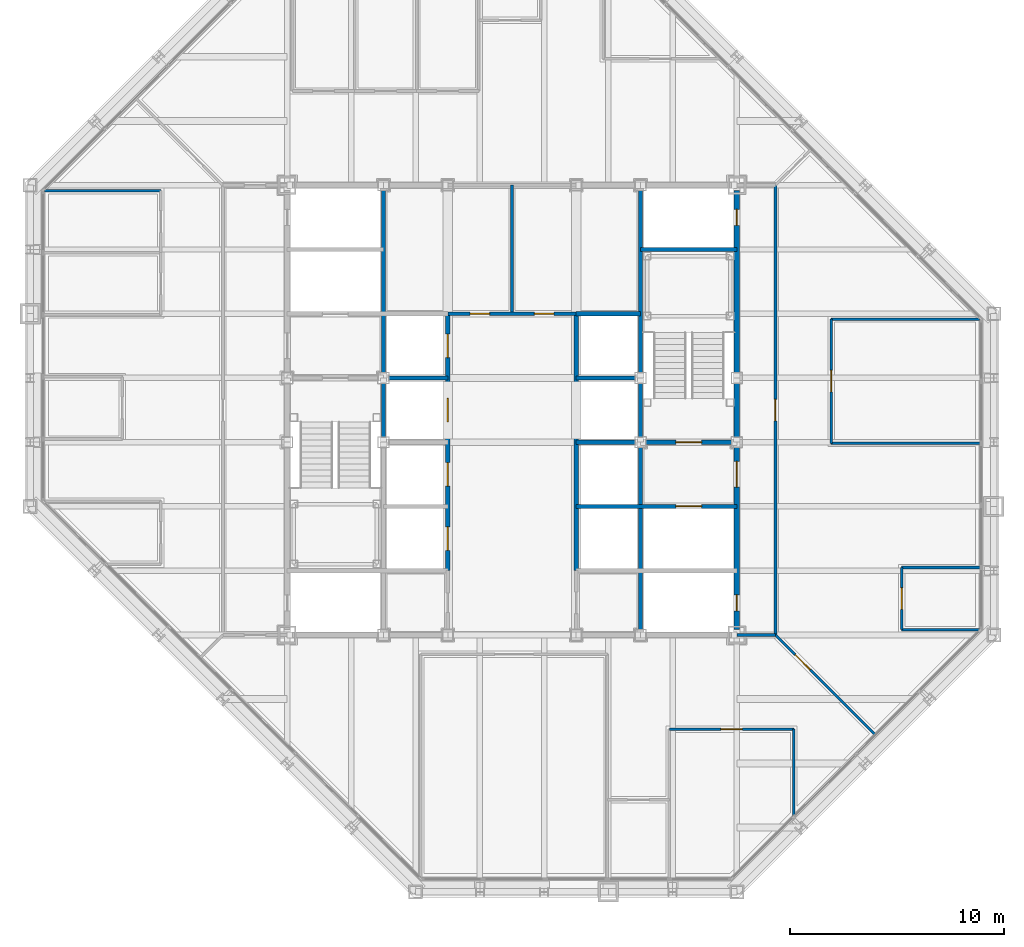
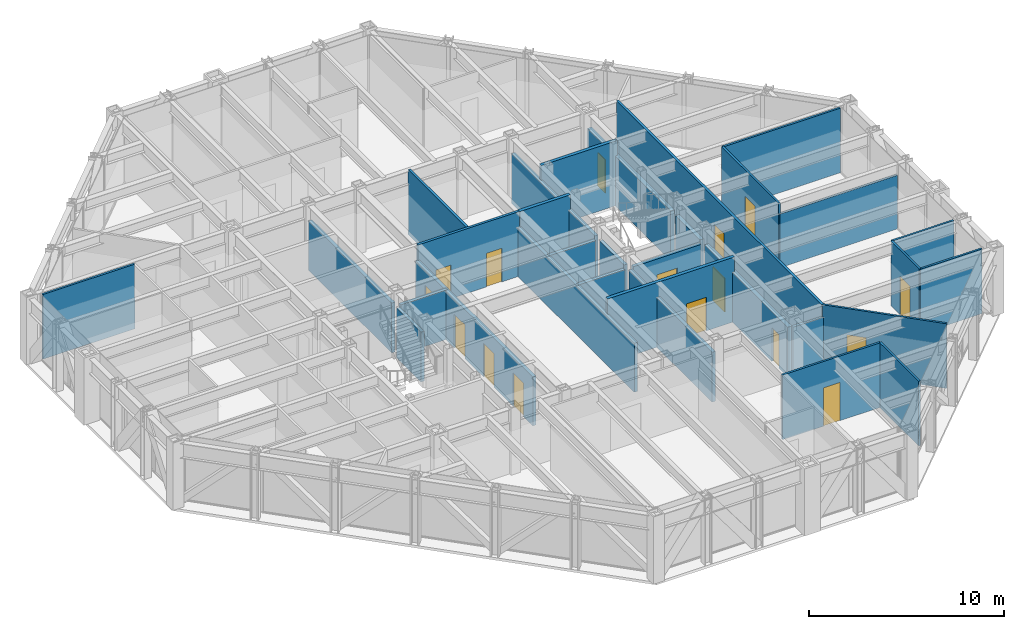
# One storey, part 12 of 16: 31 walls, 16 doors, 16 openings.
"""IFC4 building model written with IfcOpenShell, lengths in metres."""

from ifc_helpers import new_model, si_unit, direction, frame, frame_2d, origin, place, context, subcontext, project, spatial, rectangle, extrude, material, layer, layer_set, type_object, element, fill, save


model = new_model("IFC4")

# Units and contexts
model_context = context("Model", 3, precision=1e-05, world=origin(), true_north=direction((0.0, 1.0)))
body_context = subcontext(model_context, "Body", "Model", "MODEL_VIEW")
ifc_project = project(units=[si_unit("LENGTHUNIT", "METRE"), si_unit("AREAUNIT", "SQUARE_METRE"), si_unit("VOLUMEUNIT", "CUBIC_METRE"), si_unit("PLANEANGLEUNIT", "RADIAN"), si_unit("MASSUNIT", "GRAM", prefix="KILO")], contexts=[model_context])

# Site, building, storey
site_placement = place(None, origin())
site = spatial("IfcSite", under=ifc_project, at=site_placement, CompositionType="ELEMENT")
building_placement = place(site_placement, origin())
building = spatial("IfcBuilding", under=site, at=building_placement, Name="Chuquiago Exchange Tower", CompositionType="ELEMENT")
storey_placement = place(building_placement, frame((0.0, 0.0, 230.699951171875)))
storey = spatial("IfcBuildingStorey", under=building, at=storey_placement, Name="L51", CompositionType="ELEMENT", Elevation=230.699951171875)

# Wall, openings, doors
ifc_material_1 = material(Name="Concrete masonry, fully grouted", Category="masonry")
ifc_layer_1 = layer(ifc_material_1, 0.25)
ifc_layer_set_1 = layer_set([ifc_layer_1], Name="W1 core wall 250")
wall_type_1 = type_object("IfcWallType", Name="W1 core wall 250", PredefinedType="SOLIDWALL", material=ifc_layer_set_1)
wall_1_placement = place(storey_placement, frame((33.0, 12.25, 0.0), z_axis=(0.0, 0.0, 1.0), x_axis=(0.0, 1.0, 0.0)))
wall_1 = element("IfcWall", 1, at=wall_1_placement, inside=storey, type_object=wall_type_1, Name="CW-L51-25-0", PredefinedType="SOLIDWALL", context=body_context, shape_type="SweptSolid", body=[
    extrude(rectangle(XDim=8.5, YDim=0.25, at=frame_2d((4.25, 0.0))), origin(), (0.0, 0.0, 1.0), 3.113037109375),
])
opening_1_placement = place(wall_1_placement, frame((6.64990234375, 0.0, 0.0)))
opening_1 = element("IfcOpeningElement", 2, at=opening_1_placement, cuts=wall_1, Name="Opening L51-004", PredefinedType="OPENING", context=body_context, shape_type="SweptSolid", body=[
    extrude(rectangle(XDim=1.199951171875, YDim=2.10009765625, at=frame_2d((0.60009765625, 1.050048828125))), frame((0.0, 0.135009765625, 0.0), z_axis=(0.0, -1.0, 0.0), x_axis=(1.0, 0.0, 0.0)), (0.0, 0.0, 1.0), 0.27001953125),
])
opening_2_placement = place(wall_1_placement, frame((0.875, 0.0, 0.0)))
opening_2 = element("IfcOpeningElement", 3, at=opening_2_placement, cuts=wall_1, Name="Opening L51-009", PredefinedType="OPENING", context=body_context, shape_type="SweptSolid", body=[
    extrude(rectangle(XDim=0.75, YDim=2.10009765625, at=frame_2d((0.375, 1.050048828125))), frame((0.0, 0.135009765625, 0.0), z_axis=(0.0, -1.0, 0.0), x_axis=(1.0, 0.0, 0.0)), (0.0, 0.0, 1.0), 0.27001953125),
])
ifc_material_2 = material(Name="Steel door, painted", Category="steel")
door_type_1 = type_object("IfcDoorType", Name="D5 firefighting lobby door 1200x2100", OperationType="SINGLE_SWING_LEFT", PredefinedType="DOOR", material=ifc_material_2)
door_1_placement = place(opening_1_placement, origin())
door_1 = element("IfcDoor", 4, at=door_1_placement, inside=storey, type_object=door_type_1, Name="Firefighting lobby 2 door", OperationType="SINGLE_SWING_RIGHT", OverallHeight=2.10009765625, OverallWidth=1.199951171875, PredefinedType="DOOR", context=body_context, shape_type="SweptSolid", body=[
    extrude(rectangle(XDim=1.199951171875, YDim=2.10009765625, at=frame_2d((0.60009765625, 1.050048828125))), frame((0.0, 0.02490234375, 0.0), z_axis=(0.0, -1.0, 0.0), x_axis=(1.0, 0.0, 0.0)), (0.0, 0.0, 1.0), 0.050048828125),
])
fill(opening_1, door_1)
ifc_material_3 = material(Name="Steel door, painted", Category="steel")
door_type_2 = type_object("IfcDoorType", Name="D6 riser access door 750x2100", OperationType="SINGLE_SWING_LEFT", PredefinedType="DOOR", material=ifc_material_3)
door_2_placement = place(opening_2_placement, frame((0.75, 0.0, 0.0), z_axis=(0.0, 0.0, 1.0), x_axis=(-1.0, 0.0, 0.0)))
door_2 = element("IfcDoor", 5, at=door_2_placement, inside=storey, type_object=door_type_2, Name="Riser RE1 door", OperationType="SINGLE_SWING_RIGHT", OverallHeight=2.10009765625, OverallWidth=0.75, PredefinedType="DOOR", context=body_context, shape_type="SweptSolid", body=[
    extrude(rectangle(XDim=0.75, YDim=2.10009765625, at=frame_2d((0.375, 1.050048828125))), frame((0.0, 0.02490234375, 0.0), z_axis=(0.0, -1.0, 0.0), x_axis=(1.0, 0.0, 0.0)), (0.0, 0.0, 1.0), 0.050048828125),
])
fill(opening_2, door_2)

# Wall
wall_2_placement = place(storey_placement, frame((33.0, 21.25, 0.0), z_axis=(0.0, 0.0, 1.0), x_axis=(0.0, 1.0, 0.0)))
element("IfcWall", 6, at=wall_2_placement, inside=storey, type_object=wall_type_1, Name="CW-L51-25-1", PredefinedType="SOLIDWALL", context=body_context, shape_type="SweptSolid", body=[
    extrude(rectangle(XDim=2.5, YDim=0.25, at=frame_2d((1.25, 0.0))), origin(), (0.0, 0.0, 1.0), 3.113037109375),
])

# Wall, opening, door
wall_3_placement = place(storey_placement, frame((33.0, 24.25, 0.0), z_axis=(0.0, 0.0, 1.0), x_axis=(0.0, 1.0, 0.0)))
wall_3 = element("IfcWall", 7, at=wall_3_placement, inside=storey, type_object=wall_type_1, Name="CW-L51-25-2", PredefinedType="SOLIDWALL", context=body_context, shape_type="SweptSolid", body=[
    extrude(rectangle(XDim=8.5, YDim=0.25, at=frame_2d((4.25, 0.0))), origin(), (0.0, 0.0, 1.0), 3.113037109375),
])
opening_3_placement = place(wall_3_placement, frame((6.875, 0.0, 0.0)))
opening_3 = element("IfcOpeningElement", 8, at=opening_3_placement, cuts=wall_3, Name="Opening L51-010", PredefinedType="OPENING", context=body_context, shape_type="SweptSolid", body=[
    extrude(rectangle(XDim=0.75, YDim=2.10009765625, at=frame_2d((0.375, 1.050048828125))), frame((0.0, 0.135009765625, 0.0), z_axis=(0.0, -1.0, 0.0), x_axis=(1.0, 0.0, 0.0)), (0.0, 0.0, 1.0), 0.27001953125),
])
door_3_placement = place(opening_3_placement, frame((0.75, 0.0, 0.0), z_axis=(0.0, 0.0, 1.0), x_axis=(-1.0, 0.0, 0.0)))
door_3 = element("IfcDoor", 9, at=door_3_placement, inside=storey, type_object=door_type_2, Name="Riser RE2 door", OperationType="SINGLE_SWING_LEFT", OverallHeight=2.10009765625, OverallWidth=0.75, PredefinedType="DOOR", context=body_context, shape_type="SweptSolid", body=[
    extrude(rectangle(XDim=0.75, YDim=2.10009765625, at=frame_2d((0.375, 1.050048828125))), frame((0.0, 0.02490234375, 0.0), z_axis=(0.0, -1.0, 0.0), x_axis=(1.0, 0.0, 0.0)), (0.0, 0.0, 1.0), 0.050048828125),
])
fill(opening_3, door_3)

ifc_material_4 = material(Name="Gypsum board on steel studs, acoustic insulation", Category="steel")
ifc_layer_2 = layer(ifc_material_4, 0.14990234375)
ifc_layer_set_2 = layer_set([ifc_layer_2], Name="W11 corridor wall 150")
wall_type_2 = type_object("IfcWallType", Name="W11 corridor wall 150", PredefinedType="PARTITIONING", material=ifc_layer_set_2)
wall_4_placement = place(storey_placement, frame((34.800048828125, 12.0, 0.0), z_axis=(0.0, 0.0, 1.0), x_axis=(0.0, 1.0, 0.0)))
wall_4 = element("IfcWall", 10, at=wall_4_placement, inside=storey, type_object=wall_type_2, Name="PW-L51-GE0", PredefinedType="PARTITIONING", context=body_context, shape_type="SweptSolid", body=[
    extrude(rectangle(XDim=21.0, YDim=0.14990234375, at=frame_2d((10.5, 0.0))), origin(), (0.0, 0.0, 1.0), 4.0400390625),
])
opening_4_placement = place(wall_4_placement, frame((10.0, 0.0, 0.0)))
opening_4 = element("IfcOpeningElement", 11, at=opening_4_placement, cuts=wall_4, Name="Opening L51-036", PredefinedType="OPENING", context=body_context, shape_type="SweptSolid", body=[
    extrude(rectangle(XDim=1.0, YDim=2.39990234375, at=frame_2d((0.5, 1.199951171875))), frame((0.0, 0.0849609375, 0.0), z_axis=(0.0, -1.0, 0.0), x_axis=(1.0, 0.0, 0.0)), (0.0, 0.0, 1.0), 0.169921875),
])
ifc_material_5 = material(Name="Timber door, laminate faced", Category="wood")
door_type_3 = type_object("IfcDoorType", Name="D9 room door 1000x2400", OperationType="SINGLE_SWING_LEFT", PredefinedType="DOOR", material=ifc_material_5)
door_4_placement = place(opening_4_placement, frame((1.0, 0.0, 0.0), z_axis=(0.0, 0.0, 1.0), x_axis=(-1.0, 0.0, 0.0)))
door_4 = element("IfcDoor", 12, at=door_4_placement, inside=storey, type_object=door_type_3, Name="Team area door", OperationType="SINGLE_SWING_RIGHT", OverallHeight=2.39990234375, OverallWidth=1.0, PredefinedType="DOOR", context=body_context, shape_type="SweptSolid", body=[
    extrude(rectangle(XDim=1.0, YDim=2.39990234375, at=frame_2d((0.5, 1.199951171875))), frame((0.0, 0.02490234375, 0.0), z_axis=(0.0, -1.0, 0.0), x_axis=(1.0, 0.0, 0.0)), (0.0, 0.0, 1.0), 0.050048828125),
])
fill(opening_4, door_4)

# Walls
wall_5_placement = place(storey_placement, frame((33.0, 12.0, 0.0), z_axis=(0.0, 0.0, 1.0), x_axis=(1.0, 0.0, 0.0)))
element("IfcWall", 13, at=wall_5_placement, inside=storey, type_object=wall_type_2, Name="PW-L51-GES0", PredefinedType="PARTITIONING", context=body_context, shape_type="SweptSolid", body=[
    extrude(rectangle(XDim=1.800048828125, YDim=0.14990234375, at=frame_2d((0.89990234375, 0.0))), origin(), (0.0, 0.0, 1.0), 3.2705078125),
])
ifc_material_6 = material(Name="Concrete masonry, fully grouted", Category="masonry")
ifc_layer_3 = layer(ifc_material_6, 0.199951171875)
ifc_layer_set_3 = layer_set([ifc_layer_3], Name="W2 shaft wall 200")
wall_type_3 = type_object("IfcWallType", Name="W2 shaft wall 200", PredefinedType="SOLIDWALL", material=ifc_layer_set_3)
for number, where, z_axis, x_axis, name in (
    (14, (16.75, 24.0, 0.0), (0.0, 0.0, 1.0), (1.0, 0.0, 0.0), "CW-L51-05-1"),
    (15, (25.5, 24.0, 0.0), (0.0, 0.0, 1.0), (1.0, 0.0, 0.0), "CW-L51-06-0"),
):
    element("IfcWall", number, at=place(storey_placement, frame(where, z_axis=z_axis, x_axis=x_axis)), inside=storey, type_object=wall_type_3, Name=name, PredefinedType="SOLIDWALL", context=body_context, shape_type="SweptSolid", body=[
        extrude(rectangle(XDim=2.75, YDim=0.199951171875, at=frame_2d((1.375, 0.0))), origin(), (0.0, 0.0, 1.0), 3.090087890625),
    ])
wall_6_placement = place(storey_placement, frame((25.5, 27.0, 0.0), z_axis=(0.0, 0.0, 1.0), x_axis=(1.0, 0.0, 0.0)))
element("IfcWall", 16, at=wall_6_placement, inside=storey, type_object=wall_type_3, Name="CW-L51-08-0", PredefinedType="SOLIDWALL", context=body_context, shape_type="SweptSolid", body=[
    extrude(rectangle(XDim=3.0, YDim=0.199951171875, at=frame_2d((1.5, 0.0))), origin(), (0.0, 0.0, 1.0), 4.0400390625),
])
wall_7_placement = place(storey_placement, frame((28.5, 30.0, 0.0), z_axis=(0.0, 0.0, 1.0), x_axis=(1.0, 0.0, 0.0)))
element("IfcWall", 17, at=wall_7_placement, inside=storey, type_object=wall_type_3, Name="CW-L51-10-0", PredefinedType="SOLIDWALL", context=body_context, shape_type="SweptSolid", body=[
    extrude(rectangle(XDim=4.5, YDim=0.199951171875, at=frame_2d((2.25, 0.0))), origin(), (0.0, 0.0, 1.0), 4.0400390625),
])
wall_8_placement = place(storey_placement, frame((16.5, 21.25, 0.0), z_axis=(0.0, 0.0, 1.0), x_axis=(0.0, 1.0, 0.0)))
element("IfcWall", 18, at=wall_8_placement, inside=storey, type_object=wall_type_3, Name="CW-L51-13-1", PredefinedType="SOLIDWALL", context=body_context, shape_type="SweptSolid", body=[
    extrude(rectangle(XDim=2.5, YDim=0.199951171875, at=frame_2d((1.25, 0.0))), origin(), (0.0, 0.0, 1.0), 3.113037109375),
])
wall_9_placement = place(storey_placement, frame((16.5, 24.25, 0.0), z_axis=(0.0, 0.0, 1.0), x_axis=(0.0, 1.0, 0.0)))
element("IfcWall", 19, at=wall_9_placement, inside=storey, type_object=wall_type_3, Name="CW-L51-13-2", PredefinedType="SOLIDWALL", context=body_context, shape_type="SweptSolid", body=[
    extrude(rectangle(XDim=8.5, YDim=0.199951171875, at=frame_2d((4.25, 0.0))), origin(), (0.0, 0.0, 1.0), 3.113037109375),
])

# Wall, opening, door
wall_10_placement = place(storey_placement, frame((25.5, 18.0, 0.0), z_axis=(0.0, 0.0, 1.0), x_axis=(1.0, 0.0, 0.0)))
wall_10 = element("IfcWall", 20, at=wall_10_placement, inside=storey, type_object=wall_type_3, Name="CW-L51-15-0", PredefinedType="SOLIDWALL", context=body_context, shape_type="SweptSolid", body=[
    extrude(rectangle(XDim=7.5, YDim=0.199951171875, at=frame_2d((3.75, 0.0))), origin(), (0.0, 0.0, 1.0), 4.0400390625),
])
opening_5_placement = place(wall_10_placement, frame((4.64990234375, 0.0, 0.0)))
opening_5 = element("IfcOpeningElement", 21, at=opening_5_placement, cuts=wall_10, Name="Opening L51-006", PredefinedType="OPENING", context=body_context, shape_type="SweptSolid", body=[
    extrude(rectangle(XDim=1.199951171875, YDim=2.10009765625, at=frame_2d((0.60009765625, 1.050048828125))), frame((0.0, 0.10986328125, 0.0), z_axis=(0.0, -1.0, 0.0), x_axis=(1.0, 0.0, 0.0)), (0.0, 0.0, 1.0), 0.219970703125),
])
ifc_material_7 = material(Name="Stainless steel lift landing door", Category="steel")
door_type_4 = type_object("IfcDoorType", Name="LD2 firefighting lift landing door 1200x2100", OperationType="DOUBLE_DOOR_SLIDING", PredefinedType="DOOR", material=ifc_material_7)
door_5_placement = place(opening_5_placement, origin())
door_5 = element("IfcDoor", 22, at=door_5_placement, inside=storey, type_object=door_type_4, Name="Firefighting lift FL2 landing door", OperationType="DOUBLE_DOOR_SLIDING", OverallHeight=2.10009765625, OverallWidth=1.199951171875, PredefinedType="DOOR", context=body_context, shape_type="SweptSolid", body=[
    extrude(rectangle(XDim=1.199951171875, YDim=2.10009765625, at=frame_2d((0.60009765625, 1.050048828125))), frame((0.0, 0.02490234375, 0.0), z_axis=(0.0, -1.0, 0.0), x_axis=(1.0, 0.0, 0.0)), (0.0, 0.0, 1.0), 0.050048828125),
])
fill(opening_5, door_5)

# Wall
wall_11_placement = place(storey_placement, frame((25.5, 21.0, 0.0), z_axis=(0.0, 0.0, 1.0), x_axis=(1.0, 0.0, 0.0)))
element("IfcWall", 23, at=wall_11_placement, inside=storey, type_object=wall_type_3, Name="CW-L51-17-0", PredefinedType="SOLIDWALL", context=body_context, shape_type="SweptSolid", body=[
    extrude(rectangle(XDim=2.75, YDim=0.199951171875, at=frame_2d((1.375, 0.0))), origin(), (0.0, 0.0, 1.0), 3.090087890625),
])

# Wall, opening, door
wall_12_placement = place(storey_placement, frame((28.75, 21.0, 0.0), z_axis=(0.0, 0.0, 1.0), x_axis=(1.0, 0.0, 0.0)))
wall_12 = element("IfcWall", 24, at=wall_12_placement, inside=storey, type_object=wall_type_3, Name="CW-L51-17-1", PredefinedType="SOLIDWALL", context=body_context, shape_type="SweptSolid", body=[
    extrude(rectangle(XDim=4.0, YDim=0.199951171875, at=frame_2d((2.0, 0.0))), origin(), (0.0, 0.0, 1.0), 3.090087890625),
])
opening_6_placement = place(wall_12_placement, frame((1.39990234375, 0.0, 0.0)))
opening_6 = element("IfcOpeningElement", 25, at=opening_6_placement, cuts=wall_12, Name="Opening L51-003", PredefinedType="OPENING", context=body_context, shape_type="SweptSolid", body=[
    extrude(rectangle(XDim=1.199951171875, YDim=2.10009765625, at=frame_2d((0.60009765625, 1.050048828125))), frame((0.0, 0.10986328125, 0.0), z_axis=(0.0, -1.0, 0.0), x_axis=(1.0, 0.0, 0.0)), (0.0, 0.0, 1.0), 0.219970703125),
])
ifc_material_8 = material(Name="Steel door, painted", Category="steel")
door_type_5 = type_object("IfcDoorType", Name="D4 stair door 1200x2100", OperationType="SINGLE_SWING_LEFT", PredefinedType="DOOR", material=ifc_material_8)
door_6_placement = place(opening_6_placement, origin())
door_6 = element("IfcDoor", 26, at=door_6_placement, inside=storey, type_object=door_type_5, Name="Stair ST2 door", OperationType="SINGLE_SWING_LEFT", OverallHeight=2.10009765625, OverallWidth=1.199951171875, PredefinedType="DOOR", context=body_context, shape_type="SweptSolid", body=[
    extrude(rectangle(XDim=1.199951171875, YDim=2.10009765625, at=frame_2d((0.60009765625, 1.050048828125))), frame((0.0, 0.02490234375, 0.0), z_axis=(0.0, -1.0, 0.0), x_axis=(1.0, 0.0, 0.0)), (0.0, 0.0, 1.0), 0.050048828125),
])
fill(opening_6, door_6)

# Wall, openings, doors
wall_13_placement = place(storey_placement, frame((19.5, 15.0, 0.0), z_axis=(0.0, 0.0, 1.0), x_axis=(0.0, 1.0, 0.0)))
wall_13 = element("IfcWall", 27, at=wall_13_placement, inside=storey, type_object=wall_type_3, Name="CW-L51-19-0", PredefinedType="SOLIDWALL", context=body_context, shape_type="SweptSolid", body=[
    extrude(rectangle(XDim=12.0, YDim=0.199951171875, at=frame_2d((6.0, 0.0))), origin(), (0.0, 0.0, 1.0), 3.064697265625),
])
opening_7_placement = place(wall_13_placement, frame((0.949951171875, 0.0, 0.0)))
opening_7 = element("IfcOpeningElement", 28, at=opening_7_placement, cuts=wall_13, Name="Opening L51-015", PredefinedType="OPENING", context=body_context, shape_type="SweptSolid", body=[
    extrude(rectangle(XDim=1.10009765625, YDim=2.10009765625, at=frame_2d((0.550048828125, 1.050048828125))), frame((0.0, 0.10986328125, 0.0), z_axis=(0.0, -1.0, 0.0), x_axis=(1.0, 0.0, 0.0)), (0.0, 0.0, 1.0), 0.219970703125),
])
opening_8_placement = place(wall_13_placement, frame((3.949951171875, 0.0, 0.0)))
opening_8 = element("IfcOpeningElement", 29, at=opening_8_placement, cuts=wall_13, Name="Opening L51-016", PredefinedType="OPENING", context=body_context, shape_type="SweptSolid", body=[
    extrude(rectangle(XDim=1.10009765625, YDim=2.10009765625, at=frame_2d((0.550048828125, 1.050048828125))), frame((0.0, 0.10986328125, 0.0), z_axis=(0.0, -1.0, 0.0), x_axis=(1.0, 0.0, 0.0)), (0.0, 0.0, 1.0), 0.219970703125),
])
opening_9_placement = place(wall_13_placement, frame((6.949951171875, 0.0, 0.0)))
opening_9 = element("IfcOpeningElement", 30, at=opening_9_placement, cuts=wall_13, Name="Opening L51-017", PredefinedType="OPENING", context=body_context, shape_type="SweptSolid", body=[
    extrude(rectangle(XDim=1.10009765625, YDim=2.10009765625, at=frame_2d((0.550048828125, 1.050048828125))), frame((0.0, 0.10986328125, 0.0), z_axis=(0.0, -1.0, 0.0), x_axis=(1.0, 0.0, 0.0)), (0.0, 0.0, 1.0), 0.219970703125),
])
opening_10_placement = place(wall_13_placement, frame((9.949951171875, 0.0, 0.0)))
opening_10 = element("IfcOpeningElement", 31, at=opening_10_placement, cuts=wall_13, Name="Opening L51-018", PredefinedType="OPENING", context=body_context, shape_type="SweptSolid", body=[
    extrude(rectangle(XDim=1.10009765625, YDim=2.10009765625, at=frame_2d((0.550048828125, 1.050048828125))), frame((0.0, 0.10986328125, 0.0), z_axis=(0.0, -1.0, 0.0), x_axis=(1.0, 0.0, 0.0)), (0.0, 0.0, 1.0), 0.219970703125),
])
ifc_material_9 = material(Name="Stainless steel lift landing door", Category="steel")
door_type_6 = type_object("IfcDoorType", Name="LD1 lift landing door 1100x2100", OperationType="DOUBLE_DOOR_SLIDING", PredefinedType="DOOR", material=ifc_material_9)
door_7_placement = place(opening_7_placement, origin())
door_7 = element("IfcDoor", 32, at=door_7_placement, inside=storey, type_object=door_type_6, Name="Lift LC1 landing door", OperationType="DOUBLE_DOOR_SLIDING", OverallHeight=2.10009765625, OverallWidth=1.10009765625, PredefinedType="DOOR", context=body_context, shape_type="SweptSolid", body=[
    extrude(rectangle(XDim=1.10009765625, YDim=2.10009765625, at=frame_2d((0.550048828125, 1.050048828125))), frame((0.0, 0.02490234375, 0.0), z_axis=(0.0, -1.0, 0.0), x_axis=(1.0, 0.0, 0.0)), (0.0, 0.0, 1.0), 0.050048828125),
])
fill(opening_7, door_7)
door_8_placement = place(opening_8_placement, origin())
door_8 = element("IfcDoor", 33, at=door_8_placement, inside=storey, type_object=door_type_6, Name="Lift LC2 landing door", OperationType="DOUBLE_DOOR_SLIDING", OverallHeight=2.10009765625, OverallWidth=1.10009765625, PredefinedType="DOOR", context=body_context, shape_type="SweptSolid", body=[
    extrude(rectangle(XDim=1.10009765625, YDim=2.10009765625, at=frame_2d((0.550048828125, 1.050048828125))), frame((0.0, 0.02490234375, 0.0), z_axis=(0.0, -1.0, 0.0), x_axis=(1.0, 0.0, 0.0)), (0.0, 0.0, 1.0), 0.050048828125),
])
fill(opening_8, door_8)
door_9_placement = place(opening_9_placement, origin())
door_9 = element("IfcDoor", 34, at=door_9_placement, inside=storey, type_object=door_type_6, Name="Lift LC3 landing door", OperationType="DOUBLE_DOOR_SLIDING", OverallHeight=2.10009765625, OverallWidth=1.10009765625, PredefinedType="DOOR", context=body_context, shape_type="SweptSolid", body=[
    extrude(rectangle(XDim=1.10009765625, YDim=2.10009765625, at=frame_2d((0.550048828125, 1.050048828125))), frame((0.0, 0.02490234375, 0.0), z_axis=(0.0, -1.0, 0.0), x_axis=(1.0, 0.0, 0.0)), (0.0, 0.0, 1.0), 0.050048828125),
])
fill(opening_9, door_9)
door_10_placement = place(opening_10_placement, origin())
door_10 = element("IfcDoor", 35, at=door_10_placement, inside=storey, type_object=door_type_6, Name="Lift LC4 landing door", OperationType="DOUBLE_DOOR_SLIDING", OverallHeight=2.10009765625, OverallWidth=1.10009765625, PredefinedType="DOOR", context=body_context, shape_type="SweptSolid", body=[
    extrude(rectangle(XDim=1.10009765625, YDim=2.10009765625, at=frame_2d((0.550048828125, 1.050048828125))), frame((0.0, 0.02490234375, 0.0), z_axis=(0.0, -1.0, 0.0), x_axis=(1.0, 0.0, 0.0)), (0.0, 0.0, 1.0), 0.050048828125),
])
fill(opening_10, door_10)

# Walls
wall_14_placement = place(storey_placement, frame((25.5, 15.0, 0.0), z_axis=(0.0, 0.0, 1.0), x_axis=(0.0, 1.0, 0.0)))
element("IfcWall", 36, at=wall_14_placement, inside=storey, type_object=wall_type_3, Name="CW-L51-22-0", PredefinedType="SOLIDWALL", context=body_context, shape_type="SweptSolid", body=[
    extrude(rectangle(XDim=12.0, YDim=0.199951171875, at=frame_2d((6.0, 0.0))), origin(), (0.0, 0.0, 1.0), 3.064697265625),
])
wall_15_placement = place(storey_placement, frame((28.5, 12.25, 0.0), z_axis=(0.0, 0.0, 1.0), x_axis=(0.0, 1.0, 0.0)))
element("IfcWall", 37, at=wall_15_placement, inside=storey, type_object=wall_type_3, Name="CW-L51-24-0", PredefinedType="SOLIDWALL", context=body_context, shape_type="SweptSolid", body=[
    extrude(rectangle(XDim=8.5, YDim=0.199951171875, at=frame_2d((4.25, 0.0))), origin(), (0.0, 0.0, 1.0), 3.113037109375),
])
wall_16_placement = place(storey_placement, frame((28.5, 21.25, 0.0), z_axis=(0.0, 0.0, 1.0), x_axis=(0.0, 1.0, 0.0)))
element("IfcWall", 38, at=wall_16_placement, inside=storey, type_object=wall_type_3, Name="CW-L51-24-1", PredefinedType="SOLIDWALL", context=body_context, shape_type="SweptSolid", body=[
    extrude(rectangle(XDim=2.5, YDim=0.199951171875, at=frame_2d((1.25, 0.0))), origin(), (0.0, 0.0, 1.0), 3.113037109375),
])
wall_17_placement = place(storey_placement, frame((28.5, 24.25, 0.0), z_axis=(0.0, 0.0, 1.0), x_axis=(0.0, 1.0, 0.0)))
element("IfcWall", 39, at=wall_17_placement, inside=storey, type_object=wall_type_3, Name="CW-L51-24-2", PredefinedType="SOLIDWALL", context=body_context, shape_type="SweptSolid", body=[
    extrude(rectangle(XDim=8.5, YDim=0.199951171875, at=frame_2d((4.25, 0.0))), origin(), (0.0, 0.0, 1.0), 3.113037109375),
])

# Wall, openings, doors
ifc_material_10 = material(Name="Gypsum board on steel studs", Category="steel")
ifc_layer_4 = layer(ifc_material_10, 0.14990234375)
ifc_layer_set_4 = layer_set([ifc_layer_4], Name="W3 core partition 150")
wall_type_4 = type_object("IfcWallType", Name="W3 core partition 150", PredefinedType="PARTITIONING", material=ifc_layer_set_4)
wall_18_placement = place(storey_placement, frame((19.5, 27.0, 0.0), z_axis=(0.0, 0.0, 1.0), x_axis=(1.0, 0.0, 0.0)))
wall_18 = element("IfcWall", 40, at=wall_18_placement, inside=storey, type_object=wall_type_4, Name="CW-L51-TF", PredefinedType="PARTITIONING", context=body_context, shape_type="SweptSolid", body=[
    extrude(rectangle(XDim=6.0, YDim=0.14990234375, at=frame_2d((3.0, 0.0))), origin(), (0.0, 0.0, 1.0), 4.0400390625),
])
opening_11_placement = place(wall_18_placement, frame((1.050048828125, 0.0, 0.0)))
opening_11 = element("IfcOpeningElement", 41, at=opening_11_placement, cuts=wall_18, Name="Opening L51-011", PredefinedType="OPENING", context=body_context, shape_type="SweptSolid", body=[
    extrude(rectangle(XDim=0.89990234375, YDim=2.10009765625, at=frame_2d((0.449951171875, 1.050048828125))), frame((0.0, 0.0849609375, 0.0), z_axis=(0.0, -1.0, 0.0), x_axis=(1.0, 0.0, 0.0)), (0.0, 0.0, 1.0), 0.169921875),
])
opening_12_placement = place(wall_18_placement, frame((4.050048828125, 0.0, 0.0)))
opening_12 = element("IfcOpeningElement", 42, at=opening_12_placement, cuts=wall_18, Name="Opening L51-012", PredefinedType="OPENING", context=body_context, shape_type="SweptSolid", body=[
    extrude(rectangle(XDim=0.89990234375, YDim=2.10009765625, at=frame_2d((0.449951171875, 1.050048828125))), frame((0.0, 0.0849609375, 0.0), z_axis=(0.0, -1.0, 0.0), x_axis=(1.0, 0.0, 0.0)), (0.0, 0.0, 1.0), 0.169921875),
])
ifc_material_11 = material(Name="Timber door, laminate faced", Category="wood")
door_type_7 = type_object("IfcDoorType", Name="D7 toilet door 900x2100", OperationType="SINGLE_SWING_LEFT", PredefinedType="DOOR", material=ifc_material_11)
door_11_placement = place(opening_11_placement, origin())
door_11 = element("IfcDoor", 43, at=door_11_placement, inside=storey, type_object=door_type_7, Name="Male WC door", OperationType="SINGLE_SWING_RIGHT", OverallHeight=2.10009765625, OverallWidth=0.89990234375, PredefinedType="DOOR", context=body_context, shape_type="SweptSolid", body=[
    extrude(rectangle(XDim=0.89990234375, YDim=2.10009765625, at=frame_2d((0.449951171875, 1.050048828125))), frame((0.0, 0.02490234375, 0.0), z_axis=(0.0, -1.0, 0.0), x_axis=(1.0, 0.0, 0.0)), (0.0, 0.0, 1.0), 0.050048828125),
])
fill(opening_11, door_11)
door_12_placement = place(opening_12_placement, origin())
door_12 = element("IfcDoor", 44, at=door_12_placement, inside=storey, type_object=door_type_7, Name="Female WC door", OperationType="SINGLE_SWING_LEFT", OverallHeight=2.10009765625, OverallWidth=0.89990234375, PredefinedType="DOOR", context=body_context, shape_type="SweptSolid", body=[
    extrude(rectangle(XDim=0.89990234375, YDim=2.10009765625, at=frame_2d((0.449951171875, 1.050048828125))), frame((0.0, 0.02490234375, 0.0), z_axis=(0.0, -1.0, 0.0), x_axis=(1.0, 0.0, 0.0)), (0.0, 0.0, 1.0), 0.050048828125),
])
fill(opening_12, door_12)

# Walls
wall_19_placement = place(storey_placement, frame((22.5, 27.0, 0.0), z_axis=(0.0, 0.0, 1.0), x_axis=(0.0, 1.0, 0.0)))
element("IfcWall", 45, at=wall_19_placement, inside=storey, type_object=wall_type_4, Name="CW-L51-TM", PredefinedType="PARTITIONING", context=body_context, shape_type="SweptSolid", body=[
    extrude(rectangle(XDim=6.0, YDim=0.14990234375, at=frame_2d((3.0, 0.0))), origin(), (0.0, 0.0, 1.0), 4.0400390625),
])
ifc_material_12 = material(Name="Gypsum board on steel studs", Category="steel")
ifc_layer_5 = layer(ifc_material_12, 0.1201171875)
ifc_layer_set_5 = layer_set([ifc_layer_5], Name="W4 partition 120")
wall_type_5 = type_object("IfcWallType", Name="W4 partition 120", PredefinedType="PARTITIONING", material=ifc_layer_set_5)
wall_20_placement = place(storey_placement, frame((35.66357421875, 3.578125, 0.0), z_axis=(0.0, 0.0, 1.0), x_axis=(0.0, 1.0, 0.0)))
element("IfcWall", 46, at=wall_20_placement, inside=storey, type_object=wall_type_5, Name="PW-L51-S03566", PredefinedType="PARTITIONING", context=body_context, shape_type="SweptSolid", body=[
    extrude(rectangle(XDim=4.02197265625, YDim=0.1201171875, at=frame_2d((2.010986328125, 0.0))), origin(), (0.0, 0.0, 1.0), 4.0400390625),
])

# Wall, opening, door
wall_21_placement = place(storey_placement, frame((29.850830078125, 7.60009765625, 0.0), z_axis=(0.0, 0.0, 1.0), x_axis=(1.0, 0.0, 0.0)))
wall_21 = element("IfcWall", 47, at=wall_21_placement, inside=storey, type_object=wall_type_5, Name="PW-L51-SF02985", PredefinedType="PARTITIONING", context=body_context, shape_type="SweptSolid", body=[
    extrude(rectangle(XDim=5.812744140625, YDim=0.1201171875, at=frame_2d((2.90625, 0.0))), origin(), (0.0, 0.0, 1.0), 4.0400390625),
])
opening_13_placement = place(wall_21_placement, frame((2.406494140625, 0.0, 0.0)))
opening_13 = element("IfcOpeningElement", 48, at=opening_13_placement, cuts=wall_21, Name="Opening L51-021", PredefinedType="OPENING", context=body_context, shape_type="SweptSolid", body=[
    extrude(rectangle(XDim=1.0, YDim=2.39990234375, at=frame_2d((0.5, 1.199951171875))), frame((0.0, 0.070068359375, 0.0), z_axis=(0.0, -1.0, 0.0), x_axis=(1.0, 0.0, 0.0)), (0.0, 0.0, 1.0), 0.14013671875),
])
door_13_placement = place(opening_13_placement, frame((1.0, 0.0, 0.0), z_axis=(0.0, 0.0, 1.0), x_axis=(-1.0, 0.0, 0.0)))
door_13 = element("IfcDoor", 49, at=door_13_placement, inside=storey, type_object=door_type_3, Name="Risk management office door", OperationType="SINGLE_SWING_LEFT", OverallHeight=2.39990234375, OverallWidth=1.0, PredefinedType="DOOR", context=body_context, shape_type="SweptSolid", body=[
    extrude(rectangle(XDim=1.0, YDim=2.39990234375, at=frame_2d((0.5, 1.199951171875))), frame((0.0, 0.02490234375, 0.0), z_axis=(0.0, -1.0, 0.0), x_axis=(1.0, 0.0, 0.0)), (0.0, 0.0, 1.0), 0.050048828125),
])
fill(opening_13, door_13)

# Walls
wall_22_placement = place(storey_placement, frame((44.333984375, 12.24853515625, 0.0), z_axis=(0.0, 0.0, 1.0), x_axis=(-1.0, 0.0, 0.0)))
element("IfcWall", 50, at=wall_22_placement, inside=storey, type_object=wall_type_5, Name="PW-L51-E01225", PredefinedType="PARTITIONING", context=body_context, shape_type="SweptSolid", body=[
    extrude(rectangle(XDim=3.634033203125, YDim=0.1201171875, at=frame_2d((1.81689453125, 0.0))), origin(), (0.0, 0.0, 1.0), 4.0400390625),
])
wall_23_placement = place(storey_placement, frame((44.347412109375, 15.149169921875, 0.0), z_axis=(0.0, 0.0, 1.0), x_axis=(-1.0, 0.0, 0.0)))
element("IfcWall", 51, at=wall_23_placement, inside=storey, type_object=wall_type_5, Name="PW-L51-E01515", PredefinedType="PARTITIONING", context=body_context, shape_type="SweptSolid", body=[
    extrude(rectangle(XDim=3.6474609375, YDim=0.1201171875, at=frame_2d((1.82373046875, 0.0))), origin(), (0.0, 0.0, 1.0), 4.0400390625),
])
wall_24_placement = place(storey_placement, frame((44.347412109375, 20.9501953125, 0.0), z_axis=(0.0, 0.0, 1.0), x_axis=(-1.0, 0.0, 0.0)))
element("IfcWall", 52, at=wall_24_placement, inside=storey, type_object=wall_type_5, Name="PW-L51-E02095", PredefinedType="PARTITIONING", context=body_context, shape_type="SweptSolid", body=[
    extrude(rectangle(XDim=6.947509765625, YDim=0.1201171875, at=frame_2d((3.4736328125, 0.0))), origin(), (0.0, 0.0, 1.0), 3.35693359375),
])
wall_25_placement = place(storey_placement, frame((44.333984375, 26.75146484375, 0.0), z_axis=(0.0, 0.0, 1.0), x_axis=(-1.0, 0.0, 0.0)))
element("IfcWall", 53, at=wall_25_placement, inside=storey, type_object=wall_type_5, Name="PW-L51-E02675", PredefinedType="PARTITIONING", context=body_context, shape_type="SweptSolid", body=[
    extrude(rectangle(XDim=6.93408203125, YDim=0.1201171875, at=frame_2d((3.467041015625, 0.0))), origin(), (0.0, 0.0, 1.0), 4.0400390625),
])

# Wall, opening, door
wall_26_placement = place(storey_placement, frame((40.699951171875, 12.24853515625, 0.0), z_axis=(0.0, 0.0, 1.0), x_axis=(0.0, 1.0, 0.0)))
wall_26 = element("IfcWall", 54, at=wall_26_placement, inside=storey, type_object=wall_type_5, Name="PW-L51-EF01225", PredefinedType="PARTITIONING", context=body_context, shape_type="SweptSolid", body=[
    extrude(rectangle(XDim=2.900634765625, YDim=0.1201171875, at=frame_2d((1.4501953125, 0.0))), origin(), (0.0, 0.0, 1.0), 4.0400390625),
])
opening_14_placement = place(wall_26_placement, frame((0.9501953125, 0.0, 0.0)))
opening_14 = element("IfcOpeningElement", 55, at=opening_14_placement, cuts=wall_26, Name="Opening L51-022", PredefinedType="OPENING", context=body_context, shape_type="SweptSolid", body=[
    extrude(rectangle(XDim=1.0, YDim=2.39990234375, at=frame_2d((0.5, 1.199951171875))), frame((0.0, 0.070068359375, 0.0), z_axis=(0.0, -1.0, 0.0), x_axis=(1.0, 0.0, 0.0)), (0.0, 0.0, 1.0), 0.14013671875),
])
ifc_material_13 = material(Name="Timber frame door, full height glazed panel", Category="wood")
door_type_8 = type_object("IfcDoorType", Name="D14 glazed meeting room door 1000x2400", OperationType="SINGLE_SWING_LEFT", PredefinedType="DOOR", material=ifc_material_13)
door_14_placement = place(opening_14_placement, frame((1.0, 0.0, 0.0), z_axis=(0.0, 0.0, 1.0), x_axis=(-1.0, 0.0, 0.0)))
door_14 = element("IfcDoor", 56, at=door_14_placement, inside=storey, type_object=door_type_8, Name="Focus room door", OperationType="SINGLE_SWING_RIGHT", OverallHeight=2.39990234375, OverallWidth=1.0, PredefinedType="DOOR", context=body_context, shape_type="SweptSolid", body=[
    extrude(rectangle(XDim=1.0, YDim=2.39990234375, at=frame_2d((0.5, 1.199951171875))), frame((0.0, 0.02490234375, 0.0), z_axis=(0.0, -1.0, 0.0), x_axis=(1.0, 0.0, 0.0)), (0.0, 0.0, 1.0), 0.050048828125),
])
fill(opening_14, door_14)

wall_27_placement = place(storey_placement, frame((37.39990234375, 20.9501953125, 0.0), z_axis=(0.0, 0.0, 1.0), x_axis=(0.0, 1.0, 0.0)))
wall_27 = element("IfcWall", 57, at=wall_27_placement, inside=storey, type_object=wall_type_5, Name="PW-L51-EF02095", PredefinedType="PARTITIONING", context=body_context, shape_type="SweptSolid", body=[
    extrude(rectangle(XDim=5.80126953125, YDim=0.1201171875, at=frame_2d((2.900634765625, 0.0))), origin(), (0.0, 0.0, 1.0), 4.0400390625),
])
opening_15_placement = place(wall_27_placement, frame((2.400634765625, 0.0, 0.0)))
opening_15 = element("IfcOpeningElement", 58, at=opening_15_placement, cuts=wall_27, Name="Opening L51-023", PredefinedType="OPENING", context=body_context, shape_type="SweptSolid", body=[
    extrude(rectangle(XDim=1.0, YDim=2.39990234375, at=frame_2d((0.5, 1.199951171875))), frame((0.0, 0.070068359375, 0.0), z_axis=(0.0, -1.0, 0.0), x_axis=(1.0, 0.0, 0.0)), (0.0, 0.0, 1.0), 0.14013671875),
])
door_15_placement = place(opening_15_placement, frame((1.0, 0.0, 0.0), z_axis=(0.0, 0.0, 1.0), x_axis=(-1.0, 0.0, 0.0)))
door_15 = element("IfcDoor", 59, at=door_15_placement, inside=storey, type_object=door_type_3, Name="Research office door", OperationType="SINGLE_SWING_RIGHT", OverallHeight=2.39990234375, OverallWidth=1.0, PredefinedType="DOOR", context=body_context, shape_type="SweptSolid", body=[
    extrude(rectangle(XDim=1.0, YDim=2.39990234375, at=frame_2d((0.5, 1.199951171875))), frame((0.0, 0.02490234375, 0.0), z_axis=(0.0, -1.0, 0.0), x_axis=(1.0, 0.0, 0.0)), (0.0, 0.0, 1.0), 0.050048828125),
])
fill(opening_15, door_15)

# Wall
wall_28_placement = place(storey_placement, frame((0.666015625, 32.75146484375, 0.0), z_axis=(0.0, 0.0, 1.0), x_axis=(1.0, 0.0, 0.0)))
element("IfcWall", 60, at=wall_28_placement, inside=storey, type_object=wall_type_5, Name="PW-L51-W03275", PredefinedType="PARTITIONING", context=body_context, shape_type="SweptSolid", body=[
    extrude(rectangle(XDim=5.43408203125, YDim=0.1201171875, at=frame_2d((2.717041015625, 0.0))), origin(), (0.0, 0.0, 1.0), 4.0400390625),
])

# Wall, opening, door
wall_29_placement = place(storey_placement, frame((34.800048828125, 12.0, 0.0), z_axis=(0.0, 0.0, 1.0), x_axis=(0.707106781187, -0.707106781187, 0.0)))
wall_29 = element("IfcWall", 61, at=wall_29_placement, inside=storey, type_object=wall_type_5, Name="PW-L51-QSE", PredefinedType="PARTITIONING", context=body_context, shape_type="SweptSolid", body=[
    extrude(rectangle(XDim=6.580322265625, YDim=0.1201171875, at=frame_2d((3.2900390625, 0.0))), origin(), (0.0, 0.0, 1.0), 4.0400390625),
])
opening_16_placement = place(wall_29_placement, frame((1.300048828125, 0.0, 0.0)))
opening_16 = element("IfcOpeningElement", 62, at=opening_16_placement, cuts=wall_29, Name="Opening L51-039", PredefinedType="OPENING", context=body_context, shape_type="SweptSolid", body=[
    extrude(rectangle(XDim=1.0, YDim=2.39990234375, at=frame_2d((0.5, 1.199951171875))), frame((0.0, 0.070068359375, 0.0), z_axis=(0.0, -1.0, 0.0), x_axis=(1.0, 0.0, 0.0)), (0.0, 0.0, 1.0), 0.14013671875),
])
door_16_placement = place(opening_16_placement, origin())
door_16 = element("IfcDoor", 63, at=door_16_placement, inside=storey, type_object=door_type_3, Name="Team area door", OperationType="SINGLE_SWING_LEFT", OverallHeight=2.39990234375, OverallWidth=1.0, PredefinedType="DOOR", context=body_context, shape_type="SweptSolid", body=[
    extrude(rectangle(XDim=1.0, YDim=2.39990234375, at=frame_2d((0.5, 1.199951171875))), frame((0.0, 0.02490234375, 0.0), z_axis=(0.0, -1.0, 0.0), x_axis=(1.0, 0.0, 0.0)), (0.0, 0.0, 1.0), 0.050048828125),
])
fill(opening_16, door_16)

save(model, "model.ifc")
